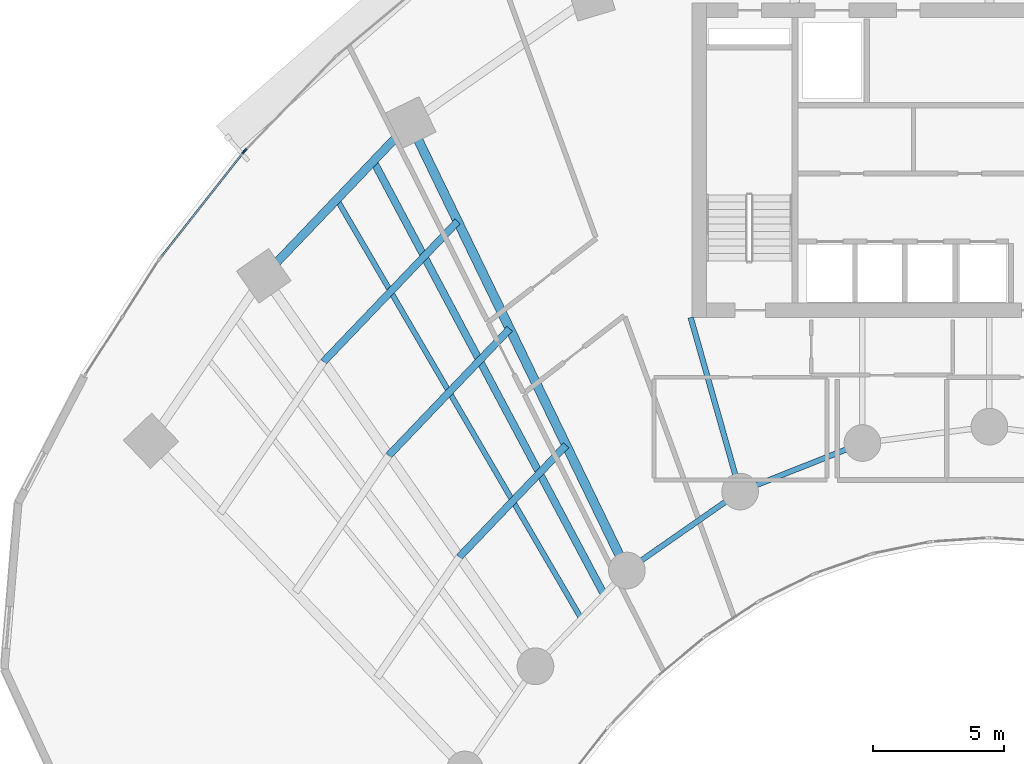
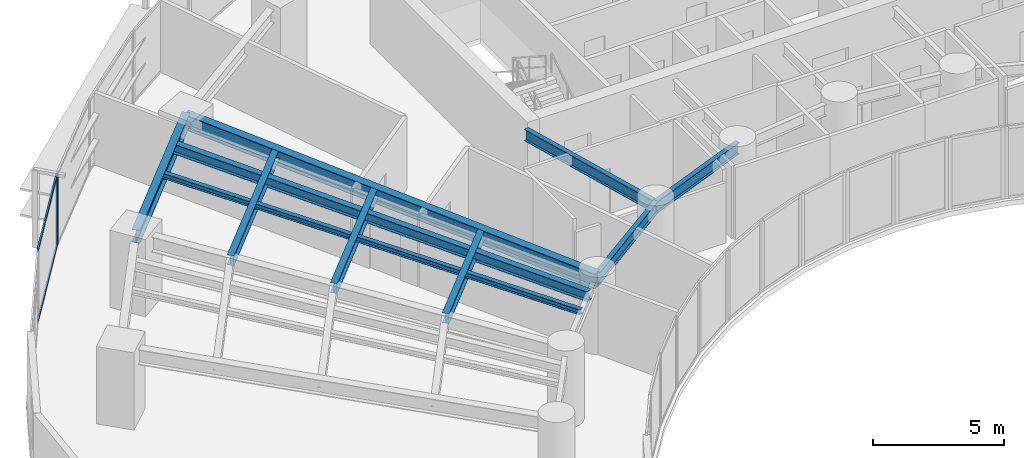
# One storey, part 3 of 17: 10 beams, 4 members, 2 elements without a shape of their own.
"""IFC4 building model written with IfcOpenShell, lengths in metres."""

from ifc_helpers import new_model, si_unit, direction, frame, origin, origin_2d, place, context, subcontext, project, spatial, rectangle, i_section, extrude, source, transform, mapped, material, layer, layer_set, material_profile, profile_set, type_object, type_shapes, element, aggregate, save


model = new_model("IFC4")

# Units and contexts
model_context = context("Model", 3, precision=1e-05, world=origin(), true_north=direction((0.0, 1.0)))
body_context = subcontext(model_context, "Body", "Model", "MODEL_VIEW")
ifc_project = project(units=[si_unit("LENGTHUNIT", "METRE"), si_unit("AREAUNIT", "SQUARE_METRE"), si_unit("VOLUMEUNIT", "CUBIC_METRE"), si_unit("PLANEANGLEUNIT", "RADIAN"), si_unit("MASSUNIT", "GRAM", prefix="KILO")], contexts=[model_context])

# Site, building, storey
site_placement = place(None, origin())
site = spatial("IfcSite", under=ifc_project, at=site_placement, CompositionType="ELEMENT")
building_placement = place(site_placement, origin())
building = spatial("IfcBuilding", under=site, at=building_placement, Name="Breltana Convention Tower", CompositionType="ELEMENT")
storey_placement = place(building_placement, frame((0.0, 0.0, 60.60009765625)))
storey = spatial("IfcBuildingStorey", under=building, at=storey_placement, Name="L13", CompositionType="ELEMENT", Elevation=60.60009765625)

# Beams
ifc_material_1 = material(Name="Steel ASTM A992 Grade 50", Category="steel")
ifc_material_profile_1 = material_profile(ifc_material_1, i_section(OverallWidth=0.323974609375, OverallDepth=0.611083984375, WebThickness=0.0126953125, FlangeThickness=0.01904296875, at=origin_2d()), Name="W24X104")
ifc_profile_set_1 = profile_set([ifc_material_profile_1], Name="Steel ASTM A992 Grade 50")
beam_type_1 = type_object("IfcBeamType", Name="BM-SP-W24X104", PredefinedType="SPANDREL", material=ifc_profile_set_1)
shared_shape_1 = source(origin(), body_context, "Body", "SweptSolid", [
    extrude(i_section(OverallWidth=0.323974609375, OverallDepth=0.611083984375, WebThickness=0.0126953125, FlangeThickness=0.01904296875, at=origin_2d()), origin(), (0.0, 0.0, 1.0), 8.073974609375),
])
beam_1_placement = place(storey_placement, frame((20.310791015625, 61.78857421875, 3.054443359375), z_axis=(0.69072885448, 0.723113856588, 0.0), x_axis=(-0.723113856588, 0.69072885448, 0.0)))
element("IfcBeam", 1, at=beam_1_placement, inside=storey, type_object=beam_type_1, Name="L13 Outer Spandrel Beam 02", PredefinedType="SPANDREL", context=body_context, shape_type="MappedRepresentation", body=[
    mapped(shared_shape_1, transform((0.0, 0.0, 0.0), scale=1.0)),
])
ifc_material_profile_2 = material_profile(ifc_material_1, i_section(OverallWidth=0.35498046875, OverallDepth=0.696044921875, WebThickness=0.015380859375, FlangeThickness=0.02490234375, at=origin_2d()), Name="W27X146")
ifc_profile_set_2 = profile_set([ifc_material_profile_2], Name="Steel ASTM A992 Grade 50")
beam_type_2 = type_object("IfcBeamType", Name="BM-RG-W27X146", PredefinedType="USERDEFINED", material=ifc_profile_set_2)
shared_shape_2 = source(origin(), body_context, "Body", "SweptSolid", [
    extrude(i_section(OverallWidth=0.35498046875, OverallDepth=0.696044921875, WebThickness=0.015380859375, FlangeThickness=0.02490234375, at=origin_2d()), origin(), (0.0, 0.0, 1.0), 18.982421875),
])
beam_2_placement = place(storey_placement, frame((34.166259765625, 50.544921875, 3.011962890625), z_axis=(-0.436118560343, 0.89988921614, 0.0), x_axis=(-0.89988921614, -0.436118560343, 0.0)))
element("IfcBeam", 2, at=beam_2_placement, inside=storey, type_object=beam_type_2, Name="L13 Radial Floor Girder R03", ObjectType="GIRDER", PredefinedType="USERDEFINED", context=body_context, shape_type="MappedRepresentation", body=[
    mapped(shared_shape_2, transform((0.0, 0.0, 0.0), scale=1.0)),
])
ifc_material_profile_3 = material_profile(ifc_material_1, i_section(OverallWidth=0.2099609375, OverallDepth=0.537109375, WebThickness=0.010986328125, FlangeThickness=0.017333984375, at=origin_2d()), Name="W21X68")
ifc_profile_set_3 = profile_set([ifc_material_profile_3], Name="Steel ASTM A992 Grade 50")
beam_type_3 = type_object("IfcBeamType", Name="BM-BM-W21X68", PredefinedType="BEAM", material=ifc_profile_set_3)
shared_shape_3 = source(origin(), body_context, "Body", "SweptSolid", [
    extrude(i_section(OverallWidth=0.2099609375, OverallDepth=0.537109375, WebThickness=0.010986328125, FlangeThickness=0.017333984375, at=origin_2d()), origin(), (0.0, 0.0, 1.0), 6.904541015625),
])
type_shapes(beam_type_3, [shared_shape_3])
beam_3_placement = place(storey_placement, frame((36.60009765625, 60.199951171875, 3.09130859375), z_axis=(0.273006781054, -0.962012108811, 0.0), x_axis=(0.962012108811, 0.273006781054, 0.0)))
element("IfcBeam", 3, at=beam_3_placement, inside=storey, type_object=beam_type_3, Name="L13 South Core Tie Girder R04", PredefinedType="BEAM", context=body_context, shape_type="MappedRepresentation", body=[
    mapped(shared_shape_3, transform((0.0, 0.0, 0.0), scale=1.0)),
])
shared_shape_4 = source(origin(), body_context, "Body", "SweptSolid", [
    extrude(i_section(OverallWidth=0.2099609375, OverallDepth=0.537109375, WebThickness=0.010986328125, FlangeThickness=0.017333984375, at=origin_2d()), origin(), (0.0, 0.0, 1.0), 5.265869140625),
])
beam_4_placement = place(storey_placement, frame((34.166259765625, 50.544921875, 3.09130859375), z_axis=(0.820167429517, 0.572123577176, 0.0), x_axis=(-0.572123577176, 0.820167429517, 0.0)))
element("IfcBeam", 4, at=beam_4_placement, inside=storey, type_object=beam_type_3, Name="L13 Inner Ring Beam 03", PredefinedType="BEAM", context=body_context, shape_type="MappedRepresentation", body=[
    mapped(shared_shape_4, transform((0.0, 0.0, 0.0), scale=1.0)),
])
shared_shape_5 = source(origin(), body_context, "Body", "SweptSolid", [
    extrude(i_section(OverallWidth=0.2099609375, OverallDepth=0.537109375, WebThickness=0.010986328125, FlangeThickness=0.017333984375, at=origin_2d()), origin(), (0.0, 0.0, 1.0), 5.022705078125),
])
beam_5_placement = place(storey_placement, frame((38.485107421875, 53.5576171875, 3.09130859375), z_axis=(0.929458966248, 0.368925507469, 0.0), x_axis=(-0.368925507469, 0.929458966248, 0.0)))
element("IfcBeam", 5, at=beam_5_placement, inside=storey, type_object=beam_type_3, Name="L13 Inner Ring Beam 04", PredefinedType="BEAM", context=body_context, shape_type="MappedRepresentation", body=[
    mapped(shared_shape_5, transform((0.0, 0.0, 0.0), scale=1.0)),
])
ifc_material_profile_4 = material_profile(ifc_material_1, i_section(OverallWidth=0.280029296875, OverallDepth=0.462890625, WebThickness=0.0107421875, FlangeThickness=0.017333984375, at=origin_2d()), Name="W18X76")
ifc_profile_set_4 = profile_set([ifc_material_profile_4], Name="Steel ASTM A992 Grade 50")
beam_type_4 = type_object("IfcBeamType", Name="BM-JSG-06", PredefinedType="JOIST", material=ifc_profile_set_4)
shared_shape_6 = source(origin(), body_context, "Body", "SweptSolid", [
    extrude(i_section(OverallWidth=0.280029296875, OverallDepth=0.462890625, WebThickness=0.0107421875, FlangeThickness=0.017333984375, at=origin_2d()), origin(), (0.0, 0.0, 1.0), 5.8974609375),
])
beam_6_placement = place(storey_placement, frame((27.774658203125, 51.063232421875, 3.12841796875), z_axis=(0.690713978666, 0.723128065888, 0.0), x_axis=(-0.723128065888, 0.690713978666, 0.0)))
element("IfcBeam", 6, at=beam_6_placement, inside=storey, type_object=beam_type_4, Name="L13 Composite Floor Joist 02.1", PredefinedType="JOIST", context=body_context, shape_type="MappedRepresentation", body=[
    mapped(shared_shape_6, transform((0.0, 0.0, 0.0), scale=1.0)),
])
shared_shape_7 = source(origin(), body_context, "Body", "SweptSolid", [
    extrude(i_section(OverallWidth=0.280029296875, OverallDepth=0.462890625, WebThickness=0.0107421875, FlangeThickness=0.017333984375, at=origin_2d()), origin(), (0.0, 0.0, 1.0), 6.68359375),
])
beam_7_placement = place(storey_placement, frame((25.079345703125, 54.936279296875, 3.12841796875), z_axis=(0.690720705885, 0.723121640156, 0.0), x_axis=(-0.723121640156, 0.690720705885, 0.0)))
element("IfcBeam", 7, at=beam_7_placement, inside=storey, type_object=beam_type_4, Name="L13 Composite Floor Joist 02.2", PredefinedType="JOIST", context=body_context, shape_type="MappedRepresentation", body=[
    mapped(shared_shape_7, transform((0.0, 0.0, 0.0), scale=1.0)),
])
shared_shape_8 = source(origin(), body_context, "Body", "SweptSolid", [
    extrude(i_section(OverallWidth=0.280029296875, OverallDepth=0.462890625, WebThickness=0.0107421875, FlangeThickness=0.017333984375, at=origin_2d()), origin(), (0.0, 0.0, 1.0), 7.40869140625),
])
beam_8_placement = place(storey_placement, frame((22.591552734375, 58.511474609375, 3.12841796875), z_axis=(0.690724936208, 0.723117599358, 0.0), x_axis=(-0.723117599358, 0.690724936208, 0.0)))
element("IfcBeam", 8, at=beam_8_placement, inside=storey, type_object=beam_type_4, Name="L13 Composite Floor Joist 02.3", PredefinedType="JOIST", context=body_context, shape_type="MappedRepresentation", body=[
    mapped(shared_shape_8, transform((0.0, 0.0, 0.0), scale=1.0)),
])
ifc_material_profile_5 = material_profile(ifc_material_1, i_section(OverallWidth=0.201904296875, OverallDepth=0.2470703125, WebThickness=0.00732421875, FlangeThickness=0.010986328125, at=origin_2d()), Name="W10X33")
ifc_profile_set_5 = profile_set([ifc_material_profile_5], Name="Steel ASTM A992 Grade 50")
beam_type_5 = type_object("IfcBeamType", Name="BM-JSG-11", PredefinedType="JOIST", material=ifc_profile_set_5)
shared_shape_9 = source(origin(), body_context, "Body", "SweptSolid", [
    extrude(i_section(OverallWidth=0.201904296875, OverallDepth=0.2470703125, WebThickness=0.00732421875, FlangeThickness=0.010986328125, at=origin_2d()), origin(), (0.0, 0.0, 1.0), 18.50830078125),
])
beam_9_placement = place(storey_placement, frame((32.421630859375, 48.71875, 3.236328125), z_axis=(-0.50368319637, 0.863888440537, 0.0), x_axis=(-0.863888440537, -0.50368319637, 0.0)))
element("IfcBeam", 9, at=beam_9_placement, inside=storey, type_object=beam_type_5, Name="L13 Mid-Bay Radial Trimmer 02", PredefinedType="JOIST", context=body_context, shape_type="MappedRepresentation", body=[
    mapped(shared_shape_9, transform((0.0, 0.0, 0.0), scale=1.0)),
])
shared_shape_10 = source(origin(), body_context, "Body", "SweptSolid", [
    extrude(i_section(OverallWidth=0.280029296875, OverallDepth=0.462890625, WebThickness=0.0107421875, FlangeThickness=0.017333984375, at=origin_2d()), origin(), (0.0, 0.0, 1.0), 18.731689453125),
])
beam_10_placement = place(storey_placement, frame((33.2939453125, 49.6318359375, 3.12841796875), z_axis=(-0.469820250451, 0.882762104004, 0.0), x_axis=(-0.882762104004, -0.469820250451, 0.0)))
element("IfcBeam", 10, at=beam_10_placement, inside=storey, type_object=beam_type_4, Name="L13 Quarter-Bay Radial Trimmer 02", PredefinedType="JOIST", context=body_context, shape_type="MappedRepresentation", body=[
    mapped(shared_shape_10, transform((0.0, 0.0, 0.0), scale=1.0)),
])

# Curtain wall, members
ifc_material_2 = material(Name="Aluminium Anodised Bronze Frame", Category="aluminium")
ifc_layer = layer(ifc_material_2, 0.199951171875, Name="Aluminium Anodised Bronze Frame")
ifc_layer_set = layer_set([ifc_layer], Name="Aluminium Anodised Bronze Frame")
curtain_wall_type = type_object("IfcCurtainWallType", Name="CW-SYS-2", PredefinedType="NOTDEFINED", material=ifc_layer_set)
curtain_wall_1_placement = place(storey_placement, origin())
curtain_wall_1 = element("IfcCurtainWall", 11, at=curtain_wall_1_placement, inside=storey, type_object=curtain_wall_type, Name="L13 outer double-skin inner glazing 2", PredefinedType="NOTDEFINED")
ifc_material_3 = material(Name="Aluminium Anodised Bronze", Category="aluminium")
ifc_material_profile_6 = material_profile(ifc_material_3, rectangle(XDim=0.070068359375, YDim=0.1201171875, at=origin_2d()), Name="CWT-70X120")
ifc_profile_set_6 = profile_set([ifc_material_profile_6], Name="Aluminium Anodised Bronze")
member_type_1 = type_object("IfcMemberType", Name="CWT-120", PredefinedType="USERDEFINED", material=ifc_profile_set_6)
shared_shape_11 = source(origin(), body_context, "Body", "SweptSolid", [
    extrude(rectangle(XDim=0.070068359375, YDim=0.1201171875, at=origin_2d()), origin(), (0.0, 0.0, 1.0), 5.0546875),
])
member_1_placement = place(storey_placement, frame((16.39892578125, 62.51806640625, 0.034912109375), z_axis=(0.618135067667, 0.786071903913, 0.0), x_axis=(-0.786071903913, 0.618135067667, 0.0)))
member_1 = element("IfcMember", 12, at=member_1_placement, type_object=member_type_1, Name="CW-02 transom 1.1", ObjectType="TRANSOM", PredefinedType="USERDEFINED", context=body_context, shape_type="MappedRepresentation", body=[
    mapped(shared_shape_11, transform((0.0, 0.0, 0.0), scale=1.0)),
])
member_2_placement = place(storey_placement, frame((16.39892578125, 62.51806640625, 3.324951171875), z_axis=(0.618135067667, 0.786071903913, 0.0), x_axis=(-0.786071903913, 0.618135067667, 0.0)))
member_2 = element("IfcMember", 13, at=member_2_placement, type_object=member_type_1, Name="CW-02 transom 1.2", ObjectType="TRANSOM", PredefinedType="USERDEFINED", context=body_context, shape_type="MappedRepresentation", body=[
    mapped(shared_shape_11, transform((0.0, 0.0, 0.0), scale=1.0)),
])
ifc_material_profile_7 = material_profile(ifc_material_3, rectangle(XDim=0.070068359375, YDim=0.175048828125, at=origin_2d()), Name="CWM-70X175")
ifc_profile_set_7 = profile_set([ifc_material_profile_7], Name="Aluminium Anodised Bronze")
member_type_2 = type_object("IfcMemberType", Name="CWM-175", PredefinedType="MULLION", material=ifc_profile_set_7)
shared_shape_12 = source(origin(), body_context, "Body", "SweptSolid", [
    extrude(rectangle(XDim=0.070068359375, YDim=0.175048828125, at=origin_2d()), origin(), (0.0, 0.0, 1.0), 3.35986328125),
])
member_3_placement = place(storey_placement, frame((19.545166015625, 66.518798828125, 0.0), z_axis=(0.0, 0.0, 1.0), x_axis=(-0.786057080698, 0.618153917633, 0.0)))
member_3 = element("IfcMember", 14, at=member_3_placement, type_object=member_type_2, Name="CW-02 mullion 2", PredefinedType="MULLION", context=body_context, shape_type="MappedRepresentation", body=[
    mapped(shared_shape_12, transform((0.0, 0.0, 0.0), scale=1.0)),
])
aggregate(curtain_wall_1, [member_3, member_1, member_2])

# Curtain wall, member
curtain_wall_2_placement = place(storey_placement, origin())
curtain_wall_2 = element("IfcCurtainWall", 15, at=curtain_wall_2_placement, inside=storey, type_object=curtain_wall_type, Name="L13 outer double-skin inner glazing 3", PredefinedType="NOTDEFINED")
member_4_placement = place(storey_placement, frame((19.591064453125, 66.571533203125, 0.0), z_axis=(0.0, 0.0, 1.0), x_axis=(-0.719386421003, 0.694610090106, 0.0)))
member_4 = element("IfcMember", 16, at=member_4_placement, type_object=member_type_2, Name="CW-02 mullion 1", PredefinedType="MULLION", context=body_context, shape_type="MappedRepresentation", body=[
    mapped(shared_shape_12, transform((0.0, 0.0, 0.0), scale=1.0)),
])
aggregate(curtain_wall_2, [member_4])

save(model, "model.ifc")
